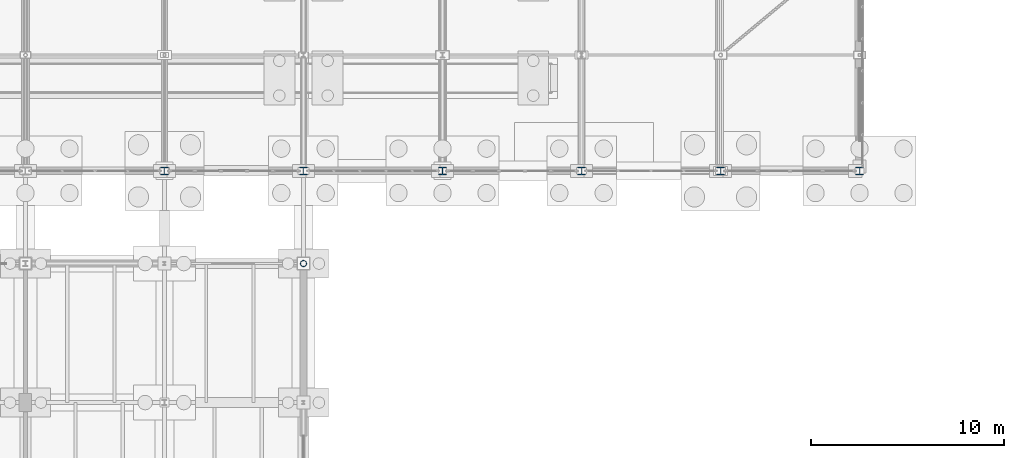
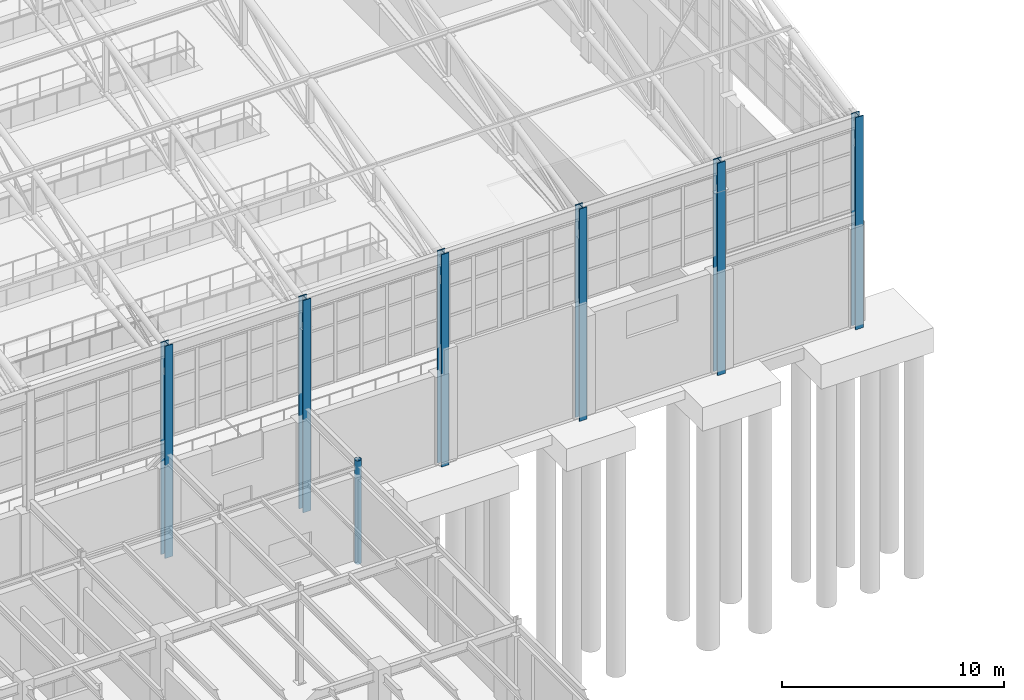
# One storey, part 34 of 293: 7 columns.
"""IFC4 building model written with IfcOpenShell, lengths in metres."""

from ifc_helpers import new_model, si_unit, direction, frame, origin, origin_2d, place, context, subcontext, project, spatial, hollow_circle, i_section, extrude, material, material_profile, profile_set, type_object, element, save


model = new_model("IFC4")

# Units and contexts
model_context = context("Model", 3, precision=1e-05, world=origin(), true_north=direction((0.0, 1.0)))
body_context = subcontext(model_context, "Body", "Model", "MODEL_VIEW")
ifc_project = project(units=[si_unit("LENGTHUNIT", "METRE"), si_unit("AREAUNIT", "SQUARE_METRE"), si_unit("VOLUMEUNIT", "CUBIC_METRE"), si_unit("PLANEANGLEUNIT", "RADIAN"), si_unit("MASSUNIT", "GRAM", prefix="KILO")], contexts=[model_context])

# Site, building, storey
site_placement = place(None, origin())
site = spatial("IfcSite", under=ifc_project, at=site_placement, CompositionType="ELEMENT")
building_placement = place(site_placement, origin())
building = spatial("IfcBuilding", under=site, at=building_placement, Name="Kemerveld Promenade Tramway Depot", CompositionType="ELEMENT")
storey_placement = place(building_placement, origin())
storey = spatial("IfcBuildingStorey", under=building, at=storey_placement, Name="L00", CompositionType="ELEMENT", Elevation=0.0)

# Columns
ifc_material = material(Name="Steel S355", Category="steel")
ifc_material_profile_1 = material_profile(ifc_material, i_section(OverallWidth=0.403076171875, OverallDepth=0.406494140625, WebThickness=0.026611328125, FlangeThickness=0.04296875, FilletRadius=0.01513671875, at=origin_2d()), Name="356x406x340 UC")
ifc_profile_set_1 = profile_set([ifc_material_profile_1], Name="Steel S355")
column_type_1 = type_object("IfcColumnType", Name="COL-S01", PredefinedType="COLUMN", material=ifc_profile_set_1)
for number, where, z_axis, x_axis, name in (
    (1, (151.199951171875, 84.0, -0.300048828125), (0.0, 0.0, 1.0), (1.0, 0.0, 0.0), "COL-L00-22-N"),
    (2, (158.39990234375, 84.0, -0.300048828125), (0.0, 0.0, 1.0), (1.0, 0.0, 0.0), "COL-L00-23-N"),
    (3, (165.60009765625, 84.0, -0.300048828125), (0.0, 0.0, 1.0), (1.0, 0.0, 0.0), "COL-L00-24-N"),
    (4, (172.800048828125, 84.0, -0.300048828125), (0.0, 0.0, 1.0), (1.0, 0.0, 0.0), "COL-L00-25-N"),
    (5, (180.0, 84.0, -0.300048828125), (0.0, 0.0, 1.0), (1.0, 0.0, 0.0), "COL-L00-26-N"),
    (6, (187.199951171875, 84.0, -0.300048828125), (0.0, 0.0, 1.0), (1.0, 0.0, 0.0), "COL-L00-27-N"),
):
    element("IfcColumn", number, at=place(storey_placement, frame(where, z_axis=z_axis, x_axis=x_axis)), inside=storey, type_object=column_type_1, Name=name, PredefinedType="COLUMN", context=body_context, shape_type="SweptSolid", body=[
        extrude(i_section(OverallWidth=0.403076171875, OverallDepth=0.406494140625, WebThickness=0.026611328125, FlangeThickness=0.04296875, FilletRadius=0.01513671875, at=origin_2d()), origin(), (0.0, 0.0, 1.0), 11.699951171875),
    ])
ifc_material_profile_2 = material_profile(ifc_material, hollow_circle(Radius=0.161865234375, WallThickness=0.012451171875, at=origin_2d()), Name="323.9x12.5 CHS")
ifc_profile_set_2 = profile_set([ifc_material_profile_2], Name="Steel S355")
column_type_2 = type_object("IfcColumnType", Name="COL-S13", PredefinedType="COLUMN", material=ifc_profile_set_2)
column_placement = place(storey_placement, frame((158.39990234375, 79.199951171875, -0.300048828125), z_axis=(0.0, 0.0, 1.0), x_axis=(1.0, 0.0, 0.0)))
element("IfcColumn", 7, at=column_placement, inside=storey, type_object=column_type_2, Name="COL-L00-23-M", PredefinedType="COLUMN", context=body_context, shape_type="SweptSolid", body=[
    extrude(hollow_circle(Radius=0.161865234375, WallThickness=0.012451171875, at=origin_2d()), origin(), (0.0, 0.0, 1.0), 5.699951171875),
])

save(model, "model.ifc")
